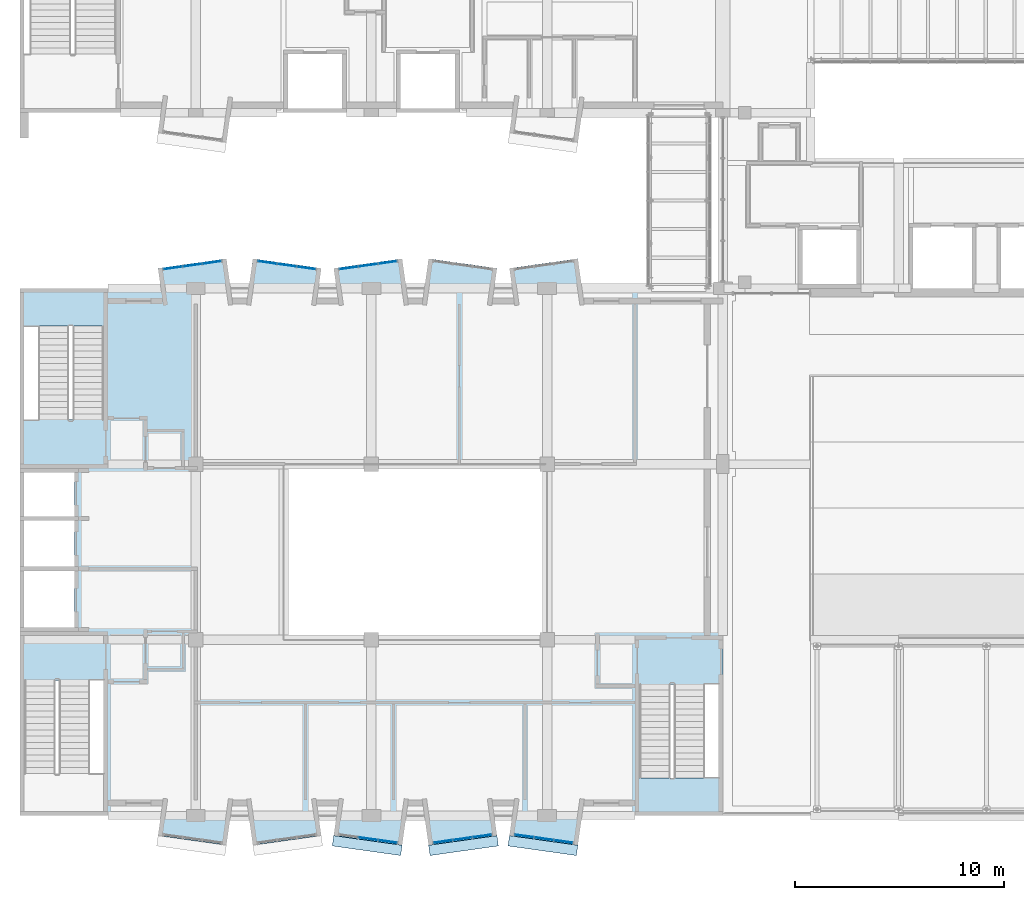
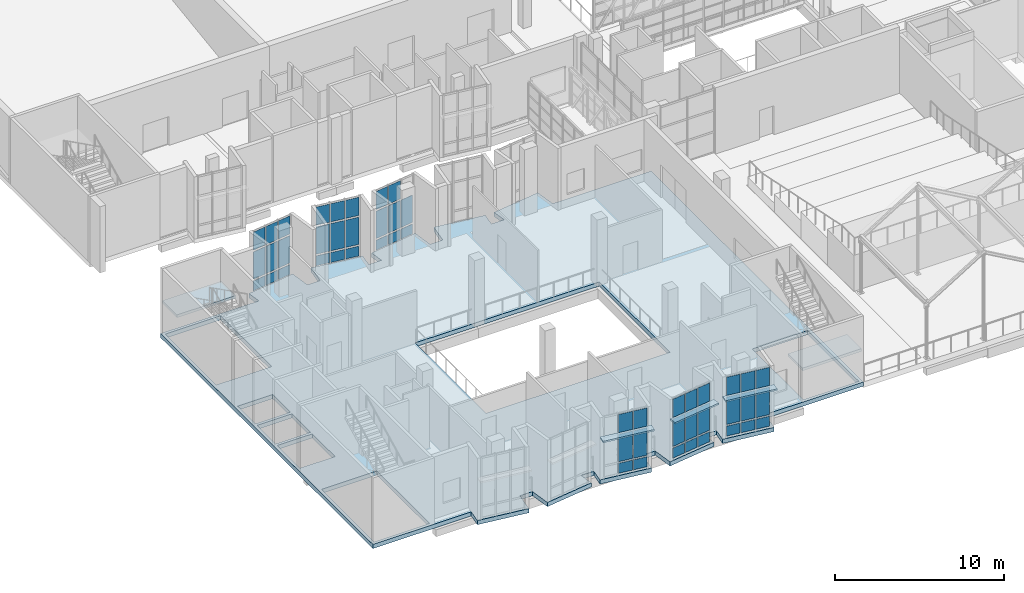
# One storey, part 30 of 67: 53 plates, 3 slabs, 8 elements without a shape of their own.
"""IFC4 building model written with IfcOpenShell, lengths in metres."""

from ifc_helpers import new_model, si_unit, direction, frame, origin, origin_2d, place, context, subcontext, project, spatial, polyline, rectangle, outline, extrude, material, layer, layer_set, type_object, element, aggregate, save


model = new_model("IFC4")

# Units and contexts
model_context = context("Model", 3, precision=1e-05, world=origin(), true_north=direction((0.0, 1.0)))
body_context = subcontext(model_context, "Body", "Model", "MODEL_VIEW")
ifc_project = project(units=[si_unit("LENGTHUNIT", "METRE"), si_unit("AREAUNIT", "SQUARE_METRE"), si_unit("VOLUMEUNIT", "CUBIC_METRE"), si_unit("PLANEANGLEUNIT", "RADIAN"), si_unit("MASSUNIT", "GRAM", prefix="KILO")], contexts=[model_context])

# Site, building, storey
site_placement = place(None, origin())
site = spatial("IfcSite", under=ifc_project, at=site_placement, CompositionType="ELEMENT")
building_placement = place(site_placement, origin())
building = spatial("IfcBuilding", under=site, at=building_placement, Name="Kiln Court Media Centre", CompositionType="ELEMENT")
storey_placement = place(building_placement, frame((0.0, 0.0, 19.800048828125)))
storey = spatial("IfcBuildingStorey", under=building, at=storey_placement, Name="L04", CompositionType="ELEMENT", Elevation=19.800048828125)

# Slab
ifc_material_1 = material(Name="Concrete C30/37", Category="concrete")
ifc_layer_1 = layer(ifc_material_1, 0.300048828125)
ifc_layer_set_1 = layer_set([ifc_layer_1], Name="Concrete C30/37 floor slab 300")
slab_type_1 = type_object("IfcSlabType", Name="Concrete C30/37 floor slab 300", PredefinedType="FLOOR", material=ifc_layer_set_1)
slab_1_placement = place(storey_placement, frame((0.0, 0.0, -0.300048828125)))
element("IfcSlab", 1, at=slab_1_placement, inside=storey, type_object=slab_type_1, Name="L04-SL-1000", PredefinedType="FLOOR", context=body_context, shape_type="SweptSolid", body=[
    extrude(outline(polyline([(9.866943359375, -1.41845703125), (6.598876953125, -0.958984375), (6.7333984375, 0.0), (0.0, 0.0), (0.0, 25.199951171875), (6.7333984375, 25.199951171875), (6.598876953125, 26.1591796875), (9.866943359375, 26.618408203125), (10.066650390625, 25.199951171875), (10.933349609375, 25.199951171875), (11.133056640625, 26.618408203125), (14.401123046875, 26.1591796875), (14.2666015625, 25.199951171875), (15.13330078125, 25.199951171875), (14.998779296875, 26.1591796875), (18.266845703125, 26.618408203125), (18.466796875, 25.199951171875), (19.333251953125, 25.199951171875), (19.533203125, 26.618408203125), (22.801025390625, 26.1591796875), (22.666748046875, 25.199951171875), (23.533203125, 25.199951171875), (23.39892578125, 26.1591796875), (26.6669921875, 26.618408203125), (26.86669921875, 25.199951171875), (33.60009765625, 25.199951171875), (33.60009765625, 0.0), (26.86669921875, 0.0), (26.6669921875, -1.41845703125), (23.39892578125, -0.958984375), (23.533203125, 0.0), (22.666748046875, 0.0), (22.801025390625, -0.959228515625), (19.533203125, -1.41845703125), (19.333251953125, 0.0), (18.466796875, 0.0), (18.266845703125, -1.41845703125), (14.998779296875, -0.958984375), (15.13330078125, 0.0), (14.2666015625, 0.0), (14.401123046875, -0.959228515625), (11.133056640625, -1.41845703125), (10.933349609375, 0.0), (10.066650390625, 0.0), (9.866943359375, -1.41845703125)]), holes=[polyline([(0.199951171875, 0.199951171875), (4.0, 0.199951171875), (4.0, 6.4599609375), (0.199951171875, 6.4599609375), (0.199951171875, 0.199951171875)]), polyline([(29.60009765625, 0.199951171875), (33.39990234375, 0.199951171875), (33.39990234375, 6.260009765625), (29.60009765625, 6.260009765625), (29.60009765625, 0.199951171875)]), polyline([(12.60009765625, 8.39990234375), (25.199951171875, 8.39990234375), (25.199951171875, 16.800048828125), (12.60009765625, 16.800048828125), (12.60009765625, 8.39990234375)]), polyline([(0.199951171875, 9.0), (2.60009765625, 9.0), (2.60009765625, 11.699951171875), (0.199951171875, 11.699951171875), (0.199951171875, 9.0)]), polyline([(0.199951171875, 11.89990234375), (2.60009765625, 11.89990234375), (2.60009765625, 14.10009765625), (0.199951171875, 14.10009765625), (0.199951171875, 11.89990234375)]), polyline([(0.199951171875, 14.300048828125), (2.60009765625, 14.300048828125), (2.60009765625, 16.39990234375), (0.199951171875, 16.39990234375), (0.199951171875, 14.300048828125)]), polyline([(0.199951171875, 18.93994140625), (4.0, 18.93994140625), (4.0, 25.0), (0.199951171875, 25.0), (0.199951171875, 18.93994140625)])]), origin(), (0.0, 0.0, 1.0), 0.300048828125),
])

# Plates
ifc_material_2 = material(Name="Concrete C30/37", Category="concrete")
ifc_layer_2 = layer(ifc_material_2, 0.1201171875)
ifc_layer_set_2 = layer_set([ifc_layer_2], Name="Concrete C30/37 sunshade hood 120")
plate_type_1 = type_object("IfcPlateType", Name="Concrete C30/37 sunshade hood 120", PredefinedType="USERDEFINED", material=ifc_layer_set_2)
plate_1_placement = place(storey_placement, frame((0.0, 0.0, 3.0)))
element("IfcPlate", 2, at=plate_1_placement, inside=storey, type_object=plate_type_1, Name="SUNSHADE V6A-S-L04-27", ObjectType="SUNSHADE", PredefinedType="USERDEFINED", context=body_context, shape_type="SweptSolid", body=[
    extrude(outline(polyline([(14.9990234375, -0.958740234375), (18.266845703125, -1.41796875), (18.197265625, -1.9130859375), (14.929443359375, -1.453857421875), (14.9990234375, -0.958740234375)])), origin(), (0.0, 0.0, 1.0), 0.119873046875),
])
plate_2_placement = place(storey_placement, frame((0.0, 0.0, 3.0)))
element("IfcPlate", 3, at=plate_2_placement, inside=storey, type_object=plate_type_1, Name="SUNSHADE V6A-S-L04-28", ObjectType="SUNSHADE", PredefinedType="USERDEFINED", context=body_context, shape_type="SweptSolid", body=[
    extrude(outline(polyline([(19.533203125, -1.41796875), (22.801025390625, -0.958740234375), (22.87060546875, -1.453857421875), (19.602783203125, -1.9130859375), (19.533203125, -1.41796875)])), origin(), (0.0, 0.0, 1.0), 0.119873046875),
])
plate_3_placement = place(storey_placement, frame((0.0, 0.0, 3.0)))
element("IfcPlate", 4, at=plate_3_placement, inside=storey, type_object=plate_type_1, Name="SUNSHADE V6A-S-L04-29", ObjectType="SUNSHADE", PredefinedType="USERDEFINED", context=body_context, shape_type="SweptSolid", body=[
    extrude(outline(polyline([(23.39892578125, -0.958740234375), (26.6669921875, -1.41796875), (26.597412109375, -1.9130859375), (23.32958984375, -1.453857421875), (23.39892578125, -0.958740234375)])), origin(), (0.0, 0.0, 1.0), 0.119873046875),
])

# Stair, slab
ifc_material_3 = material(Name="Concrete C40/50", Category="concrete")
stair_type = type_object("IfcStairType", Name="Concrete C40/50 dog-leg stair 1500 wide, 150 riser", PredefinedType="HALF_TURN_STAIR", material=ifc_material_3)
stair_1_placement = place(storey_placement, origin())
stair_1 = element("IfcStair", 5, at=stair_1_placement, inside=storey, type_object=stair_type, Name="ST-02 L04", PredefinedType="HALF_TURN_STAIR")
ifc_material_4 = material(Name="Concrete C40/50", Category="concrete")
ifc_layer_3 = layer(ifc_material_4, 0.199951171875)
ifc_layer_set_3 = layer_set([ifc_layer_3], Name="Concrete C40/50 stair landing 200")
slab_type_2 = type_object("IfcSlabType", Name="Concrete C40/50 stair landing 200", PredefinedType="LANDING", material=ifc_layer_set_3)
slab_2_placement = place(storey_placement, frame((0.0, 0.0, 2.199951171875)))
slab_2 = element("IfcSlab", 6, at=slab_2_placement, type_object=slab_type_2, Name="L04-ST-5001 landing 5001", PredefinedType="LANDING", context=body_context, shape_type="SweptSolid", body=[
    extrude(outline(polyline([(4.1201171875, 23.39990234375), (4.1201171875, 25.1201171875), (0.080078125, 25.1201171875), (0.080078125, 23.39990234375), (4.1201171875, 23.39990234375)])), origin(), (0.0, 0.0, 1.0), 0.199951171875),
])
aggregate(stair_1, [slab_2])

stair_2_placement = place(storey_placement, origin())
stair_2 = element("IfcStair", 7, at=stair_2_placement, inside=storey, type_object=stair_type, Name="ST-03 L04", PredefinedType="HALF_TURN_STAIR")
slab_3_placement = place(storey_placement, frame((0.0, 0.0, 2.199951171875)))
slab_3 = element("IfcSlab", 8, at=slab_3_placement, type_object=slab_type_2, Name="L04-ST-5002 landing 5002", PredefinedType="LANDING", context=body_context, shape_type="SweptSolid", body=[
    extrude(outline(polyline([(29.47998046875, 1.800048828125), (29.47998046875, 0.080078125), (33.52001953125, 0.080078125), (33.52001953125, 1.800048828125), (29.47998046875, 1.800048828125)])), origin(), (0.0, 0.0, 1.0), 0.199951171875),
])
aggregate(stair_2, [slab_3])

# Curtain wall, plates
ifc_material_5 = material(Name="Aluminium 6063-T6", Category="aluminium")
ifc_layer_4 = layer(ifc_material_5, 0.1201171875)
ifc_layer_set_4 = layer_set([ifc_layer_4], Name="Aluminium unitised bay curtain wall")
curtain_wall_type = type_object("IfcCurtainWallType", Name="Aluminium unitised bay curtain wall", PredefinedType="USERDEFINED", material=ifc_layer_set_4)
curtain_wall_1_placement = place(storey_placement, origin())
curtain_wall_1 = element("IfcCurtainWall", 9, at=curtain_wall_1_placement, inside=storey, type_object=curtain_wall_type, Name="BAY V6A-N-L04-24 front", ObjectType="UNITISED CURTAIN WALL", PredefinedType="USERDEFINED")
ifc_material_6 = material(Name="Aluminium insulated spandrel", Category="aluminium")
ifc_layer_5 = layer(ifc_material_6, 0.028076171875)
ifc_layer_set_5 = layer_set([ifc_layer_5], Name="Insulated spandrel panel 28")
plate_type_2 = type_object("IfcPlateType", Name="Insulated spandrel panel 28", PredefinedType="CURTAIN_PANEL", material=ifc_layer_set_5)
plate_4_placement = place(storey_placement, frame((7.3115234375, 26.177978515625, 0.1201171875), z_axis=(0.0, 0.0, 1.0), x_axis=(0.990269562409, 0.139162472554, 0.0)))
plate_4 = element("IfcPlate", 10, at=plate_4_placement, type_object=plate_type_2, Name="CW4-03 panel 1.1", PredefinedType="CURTAIN_PANEL", context=body_context, shape_type="SweptSolid", body=[
    extrude(rectangle(XDim=0.86669921875, YDim=0.028076171875, at=origin_2d()), origin(), (0.0, 0.0, 1.0), 0.719970703125),
])
plate_5_placement = place(storey_placement, frame((8.244140625, 26.30908203125, 0.1201171875), z_axis=(0.0, 0.0, 1.0), x_axis=(0.990269562409, 0.139162472554, 0.0)))
plate_5 = element("IfcPlate", 11, at=plate_5_placement, type_object=plate_type_2, Name="CW4-03 panel 2.1", PredefinedType="CURTAIN_PANEL", context=body_context, shape_type="SweptSolid", body=[
    extrude(rectangle(XDim=0.896728515625, YDim=0.028076171875, at=origin_2d()), origin(), (0.0, 0.0, 1.0), 0.719970703125),
])
plate_6_placement = place(storey_placement, frame((9.1767578125, 26.440185546875, 0.1201171875), z_axis=(0.0, 0.0, 1.0), x_axis=(0.990269562409, 0.139162472554, 0.0)))
plate_6 = element("IfcPlate", 12, at=plate_6_placement, type_object=plate_type_2, Name="CW4-03 panel 3.1", PredefinedType="CURTAIN_PANEL", context=body_context, shape_type="SweptSolid", body=[
    extrude(rectangle(XDim=0.86669921875, YDim=0.028076171875, at=origin_2d()), origin(), (0.0, 0.0, 1.0), 0.719970703125),
])

curtain_wall_2_placement = place(storey_placement, origin())
curtain_wall_2 = element("IfcCurtainWall", 13, at=curtain_wall_2_placement, inside=storey, type_object=curtain_wall_type, Name="BAY V6A-N-L04-25 front", ObjectType="UNITISED CURTAIN WALL", PredefinedType="USERDEFINED")
plate_7_placement = place(storey_placement, frame((11.8232421875, 26.440185546875, 0.1201171875), z_axis=(0.0, 0.0, 1.0), x_axis=(0.990269562409, -0.139162472554, 0.0)))
plate_7 = element("IfcPlate", 14, at=plate_7_placement, type_object=plate_type_2, Name="CW4-04 panel 1.1", PredefinedType="CURTAIN_PANEL", context=body_context, shape_type="SweptSolid", body=[
    extrude(rectangle(XDim=0.86669921875, YDim=0.028076171875, at=origin_2d()), origin(), (0.0, 0.0, 1.0), 0.719970703125),
])
plate_8_placement = place(storey_placement, frame((12.755859375, 26.30908203125, 0.1201171875), z_axis=(0.0, 0.0, 1.0), x_axis=(0.990269562409, -0.139162472554, 0.0)))
plate_8 = element("IfcPlate", 15, at=plate_8_placement, type_object=plate_type_2, Name="CW4-04 panel 2.1", PredefinedType="CURTAIN_PANEL", context=body_context, shape_type="SweptSolid", body=[
    extrude(rectangle(XDim=0.896728515625, YDim=0.028076171875, at=origin_2d()), origin(), (0.0, 0.0, 1.0), 0.719970703125),
])
plate_9_placement = place(storey_placement, frame((13.6884765625, 26.177978515625, 0.1201171875), z_axis=(0.0, 0.0, 1.0), x_axis=(0.990269562409, -0.139162472554, 0.0)))
plate_9 = element("IfcPlate", 16, at=plate_9_placement, type_object=plate_type_2, Name="CW4-04 panel 3.1", PredefinedType="CURTAIN_PANEL", context=body_context, shape_type="SweptSolid", body=[
    extrude(rectangle(XDim=0.86669921875, YDim=0.028076171875, at=origin_2d()), origin(), (0.0, 0.0, 1.0), 0.719970703125),
])

curtain_wall_3_placement = place(storey_placement, origin())
curtain_wall_3 = element("IfcCurtainWall", 17, at=curtain_wall_3_placement, inside=storey, type_object=curtain_wall_type, Name="BAY V6A-N-L04-26 front", ObjectType="UNITISED CURTAIN WALL", PredefinedType="USERDEFINED")
plate_10_placement = place(storey_placement, frame((15.711669921875, 26.177978515625, 0.1201171875), z_axis=(0.0, 0.0, 1.0), x_axis=(0.990269562409, 0.139162472554, 0.0)))
plate_10 = element("IfcPlate", 18, at=plate_10_placement, type_object=plate_type_2, Name="CW4-05 panel 1.1", PredefinedType="CURTAIN_PANEL", context=body_context, shape_type="SweptSolid", body=[
    extrude(rectangle(XDim=0.86669921875, YDim=0.028076171875, at=origin_2d()), origin(), (0.0, 0.0, 1.0), 0.719970703125),
])
plate_11_placement = place(storey_placement, frame((16.64404296875, 26.30908203125, 0.1201171875), z_axis=(0.0, 0.0, 1.0), x_axis=(0.990269562409, 0.139162472554, 0.0)))
plate_11 = element("IfcPlate", 19, at=plate_11_placement, type_object=plate_type_2, Name="CW4-05 panel 2.1", PredefinedType="CURTAIN_PANEL", context=body_context, shape_type="SweptSolid", body=[
    extrude(rectangle(XDim=0.896728515625, YDim=0.028076171875, at=origin_2d()), origin(), (0.0, 0.0, 1.0), 0.719970703125),
])
plate_12_placement = place(storey_placement, frame((17.57666015625, 26.440185546875, 0.1201171875), z_axis=(0.0, 0.0, 1.0), x_axis=(0.990269562409, 0.139162472554, 0.0)))
plate_12 = element("IfcPlate", 20, at=plate_12_placement, type_object=plate_type_2, Name="CW4-05 panel 3.1", PredefinedType="CURTAIN_PANEL", context=body_context, shape_type="SweptSolid", body=[
    extrude(rectangle(XDim=0.86669921875, YDim=0.028076171875, at=origin_2d()), origin(), (0.0, 0.0, 1.0), 0.719970703125),
])

curtain_wall_4_placement = place(storey_placement, origin())
curtain_wall_4 = element("IfcCurtainWall", 21, at=curtain_wall_4_placement, inside=storey, type_object=curtain_wall_type, Name="BAY V6A-S-L04-27 front", ObjectType="UNITISED CURTAIN WALL", PredefinedType="USERDEFINED")
plate_13_placement = place(storey_placement, frame((16.64404296875, -1.109130859375, 0.1201171875), z_axis=(0.0, 0.0, 1.0), x_axis=(0.990269562409, -0.139162472554, 0.0)))
plate_13 = element("IfcPlate", 22, at=plate_13_placement, type_object=plate_type_2, Name="CW4-10 panel 2.1", PredefinedType="CURTAIN_PANEL", context=body_context, shape_type="SweptSolid", body=[
    extrude(rectangle(XDim=0.896728515625, YDim=0.028076171875, at=origin_2d()), origin(), (0.0, 0.0, 1.0), 0.719970703125),
])
plate_14_placement = place(storey_placement, frame((17.57666015625, -1.240234375, 0.1201171875), z_axis=(0.0, 0.0, 1.0), x_axis=(0.990269562409, -0.139162472554, 0.0)))
plate_14 = element("IfcPlate", 23, at=plate_14_placement, type_object=plate_type_2, Name="CW4-10 panel 3.1", PredefinedType="CURTAIN_PANEL", context=body_context, shape_type="SweptSolid", body=[
    extrude(rectangle(XDim=0.86669921875, YDim=0.028076171875, at=origin_2d()), origin(), (0.0, 0.0, 1.0), 0.719970703125),
])

curtain_wall_5_placement = place(storey_placement, origin())
curtain_wall_5 = element("IfcCurtainWall", 24, at=curtain_wall_5_placement, inside=storey, type_object=curtain_wall_type, Name="BAY V6A-S-L04-28 front", ObjectType="UNITISED CURTAIN WALL", PredefinedType="USERDEFINED")
plate_15_placement = place(storey_placement, frame((20.223388671875, -1.240234375, 0.1201171875), z_axis=(0.0, 0.0, 1.0), x_axis=(0.990269562409, 0.139162472554, 0.0)))
plate_15 = element("IfcPlate", 25, at=plate_15_placement, type_object=plate_type_2, Name="CW4-11 panel 1.1", PredefinedType="CURTAIN_PANEL", context=body_context, shape_type="SweptSolid", body=[
    extrude(rectangle(XDim=0.86669921875, YDim=0.028076171875, at=origin_2d()), origin(), (0.0, 0.0, 1.0), 0.719970703125),
])
plate_16_placement = place(storey_placement, frame((21.15576171875, -1.109130859375, 0.1201171875), z_axis=(0.0, 0.0, 1.0), x_axis=(0.990269562409, 0.139162472554, 0.0)))
plate_16 = element("IfcPlate", 26, at=plate_16_placement, type_object=plate_type_2, Name="CW4-11 panel 2.1", PredefinedType="CURTAIN_PANEL", context=body_context, shape_type="SweptSolid", body=[
    extrude(rectangle(XDim=0.896728515625, YDim=0.028076171875, at=origin_2d()), origin(), (0.0, 0.0, 1.0), 0.719970703125),
])
plate_17_placement = place(storey_placement, frame((22.08837890625, -0.97802734375, 0.1201171875), z_axis=(0.0, 0.0, 1.0), x_axis=(0.990269562409, 0.139162472554, 0.0)))
plate_17 = element("IfcPlate", 27, at=plate_17_placement, type_object=plate_type_2, Name="CW4-11 panel 3.1", PredefinedType="CURTAIN_PANEL", context=body_context, shape_type="SweptSolid", body=[
    extrude(rectangle(XDim=0.86669921875, YDim=0.028076171875, at=origin_2d()), origin(), (0.0, 0.0, 1.0), 0.719970703125),
])

curtain_wall_6_placement = place(storey_placement, origin())
curtain_wall_6 = element("IfcCurtainWall", 28, at=curtain_wall_6_placement, inside=storey, type_object=curtain_wall_type, Name="BAY V6A-S-L04-29 front", ObjectType="UNITISED CURTAIN WALL", PredefinedType="USERDEFINED")
plate_18_placement = place(storey_placement, frame((24.111572265625, -0.97802734375, 0.1201171875), z_axis=(0.0, 0.0, 1.0), x_axis=(0.990269562409, -0.139162472554, 0.0)))
plate_18 = element("IfcPlate", 29, at=plate_18_placement, type_object=plate_type_2, Name="CW4-12 panel 1.1", PredefinedType="CURTAIN_PANEL", context=body_context, shape_type="SweptSolid", body=[
    extrude(rectangle(XDim=0.86669921875, YDim=0.028076171875, at=origin_2d()), origin(), (0.0, 0.0, 1.0), 0.719970703125),
])
plate_19_placement = place(storey_placement, frame((25.044189453125, -1.109130859375, 0.1201171875), z_axis=(0.0, 0.0, 1.0), x_axis=(0.990269562409, -0.139162472554, 0.0)))
plate_19 = element("IfcPlate", 30, at=plate_19_placement, type_object=plate_type_2, Name="CW4-12 panel 2.1", PredefinedType="CURTAIN_PANEL", context=body_context, shape_type="SweptSolid", body=[
    extrude(rectangle(XDim=0.896728515625, YDim=0.028076171875, at=origin_2d()), origin(), (0.0, 0.0, 1.0), 0.719970703125),
])
plate_20_placement = place(storey_placement, frame((25.9765625, -1.240234375, 0.1201171875), z_axis=(0.0, 0.0, 1.0), x_axis=(0.990269562409, -0.139162472554, 0.0)))
plate_20 = element("IfcPlate", 31, at=plate_20_placement, type_object=plate_type_2, Name="CW4-12 panel 3.1", PredefinedType="CURTAIN_PANEL", context=body_context, shape_type="SweptSolid", body=[
    extrude(rectangle(XDim=0.86669921875, YDim=0.028076171875, at=origin_2d()), origin(), (0.0, 0.0, 1.0), 0.719970703125),
])

# Plate
ifc_material_7 = material(Name="Low-E double glazing", Category="glass")
ifc_layer_6 = layer(ifc_material_7, 0.028076171875)
ifc_layer_set_6 = layer_set([ifc_layer_6], Name="Low-E double glazed panel 28")
plate_type_3 = type_object("IfcPlateType", Name="Low-E double glazed panel 28", PredefinedType="CURTAIN_PANEL", material=ifc_layer_set_6)
plate_21_placement = place(storey_placement, frame((7.3115234375, 26.177978515625, 0.9599609375), z_axis=(0.0, 0.0, 1.0), x_axis=(0.990269562409, 0.139162472554, 0.0)))
plate_21 = element("IfcPlate", 32, at=plate_21_placement, type_object=plate_type_3, Name="CW4-03 panel 1.2", PredefinedType="CURTAIN_PANEL", context=body_context, shape_type="SweptSolid", body=[
    extrude(rectangle(XDim=0.86669921875, YDim=0.028076171875, at=origin_2d()), origin(), (0.0, 0.0, 1.0), 1.97998046875),
])

plate_22_placement = place(storey_placement, frame((7.3115234375, 26.177978515625, 3.06005859375), z_axis=(0.0, 0.0, 1.0), x_axis=(0.990269562409, 0.139162472554, 0.0)))
plate_22 = element("IfcPlate", 33, at=plate_22_placement, type_object=plate_type_3, Name="CW4-03 panel 1.3", PredefinedType="CURTAIN_PANEL", context=body_context, shape_type="SweptSolid", body=[
    extrude(rectangle(XDim=0.86669921875, YDim=0.028076171875, at=origin_2d()), origin(), (0.0, 0.0, 1.0), 1.320068359375),
])

plate_23_placement = place(storey_placement, frame((8.244140625, 26.30908203125, 0.9599609375), z_axis=(0.0, 0.0, 1.0), x_axis=(0.990269562409, 0.139162472554, 0.0)))
plate_23 = element("IfcPlate", 34, at=plate_23_placement, type_object=plate_type_3, Name="CW4-03 panel 2.2", PredefinedType="CURTAIN_PANEL", context=body_context, shape_type="SweptSolid", body=[
    extrude(rectangle(XDim=0.896728515625, YDim=0.028076171875, at=origin_2d()), origin(), (0.0, 0.0, 1.0), 1.97998046875),
])

plate_24_placement = place(storey_placement, frame((8.244140625, 26.30908203125, 3.06005859375), z_axis=(0.0, 0.0, 1.0), x_axis=(0.990269562409, 0.139162472554, 0.0)))
plate_24 = element("IfcPlate", 35, at=plate_24_placement, type_object=plate_type_3, Name="CW4-03 panel 2.3", PredefinedType="CURTAIN_PANEL", context=body_context, shape_type="SweptSolid", body=[
    extrude(rectangle(XDim=0.896728515625, YDim=0.028076171875, at=origin_2d()), origin(), (0.0, 0.0, 1.0), 1.320068359375),
])

plate_25_placement = place(storey_placement, frame((9.1767578125, 26.440185546875, 0.9599609375), z_axis=(0.0, 0.0, 1.0), x_axis=(0.990269562409, 0.139162472554, 0.0)))
plate_25 = element("IfcPlate", 36, at=plate_25_placement, type_object=plate_type_3, Name="CW4-03 panel 3.2", PredefinedType="CURTAIN_PANEL", context=body_context, shape_type="SweptSolid", body=[
    extrude(rectangle(XDim=0.86669921875, YDim=0.028076171875, at=origin_2d()), origin(), (0.0, 0.0, 1.0), 1.97998046875),
])

plate_26_placement = place(storey_placement, frame((9.1767578125, 26.440185546875, 3.06005859375), z_axis=(0.0, 0.0, 1.0), x_axis=(0.990269562409, 0.139162472554, 0.0)))
plate_26 = element("IfcPlate", 37, at=plate_26_placement, type_object=plate_type_3, Name="CW4-03 panel 3.3", PredefinedType="CURTAIN_PANEL", context=body_context, shape_type="SweptSolid", body=[
    extrude(rectangle(XDim=0.86669921875, YDim=0.028076171875, at=origin_2d()), origin(), (0.0, 0.0, 1.0), 1.320068359375),
])

aggregate(curtain_wall_1, [plate_4, plate_21, plate_22, plate_5, plate_23, plate_24, plate_6, plate_25, plate_26])

plate_27_placement = place(storey_placement, frame((11.8232421875, 26.440185546875, 0.9599609375), z_axis=(0.0, 0.0, 1.0), x_axis=(0.990269562409, -0.139162472554, 0.0)))
plate_27 = element("IfcPlate", 38, at=plate_27_placement, type_object=plate_type_3, Name="CW4-04 panel 1.2", PredefinedType="CURTAIN_PANEL", context=body_context, shape_type="SweptSolid", body=[
    extrude(rectangle(XDim=0.86669921875, YDim=0.028076171875, at=origin_2d()), origin(), (0.0, 0.0, 1.0), 1.97998046875),
])

plate_28_placement = place(storey_placement, frame((11.8232421875, 26.440185546875, 3.06005859375), z_axis=(0.0, 0.0, 1.0), x_axis=(0.990269562409, -0.139162472554, 0.0)))
plate_28 = element("IfcPlate", 39, at=plate_28_placement, type_object=plate_type_3, Name="CW4-04 panel 1.3", PredefinedType="CURTAIN_PANEL", context=body_context, shape_type="SweptSolid", body=[
    extrude(rectangle(XDim=0.86669921875, YDim=0.028076171875, at=origin_2d()), origin(), (0.0, 0.0, 1.0), 1.320068359375),
])

plate_29_placement = place(storey_placement, frame((12.755859375, 26.30908203125, 0.9599609375), z_axis=(0.0, 0.0, 1.0), x_axis=(0.990269562409, -0.139162472554, 0.0)))
plate_29 = element("IfcPlate", 40, at=plate_29_placement, type_object=plate_type_3, Name="CW4-04 panel 2.2", PredefinedType="CURTAIN_PANEL", context=body_context, shape_type="SweptSolid", body=[
    extrude(rectangle(XDim=0.896728515625, YDim=0.028076171875, at=origin_2d()), origin(), (0.0, 0.0, 1.0), 1.97998046875),
])

plate_30_placement = place(storey_placement, frame((12.755859375, 26.30908203125, 3.06005859375), z_axis=(0.0, 0.0, 1.0), x_axis=(0.990269562409, -0.139162472554, 0.0)))
plate_30 = element("IfcPlate", 41, at=plate_30_placement, type_object=plate_type_3, Name="CW4-04 panel 2.3", PredefinedType="CURTAIN_PANEL", context=body_context, shape_type="SweptSolid", body=[
    extrude(rectangle(XDim=0.896728515625, YDim=0.028076171875, at=origin_2d()), origin(), (0.0, 0.0, 1.0), 1.320068359375),
])

plate_31_placement = place(storey_placement, frame((13.6884765625, 26.177978515625, 0.9599609375), z_axis=(0.0, 0.0, 1.0), x_axis=(0.990269562409, -0.139162472554, 0.0)))
plate_31 = element("IfcPlate", 42, at=plate_31_placement, type_object=plate_type_3, Name="CW4-04 panel 3.2", PredefinedType="CURTAIN_PANEL", context=body_context, shape_type="SweptSolid", body=[
    extrude(rectangle(XDim=0.86669921875, YDim=0.028076171875, at=origin_2d()), origin(), (0.0, 0.0, 1.0), 1.97998046875),
])

plate_32_placement = place(storey_placement, frame((13.6884765625, 26.177978515625, 3.06005859375), z_axis=(0.0, 0.0, 1.0), x_axis=(0.990269562409, -0.139162472554, 0.0)))
plate_32 = element("IfcPlate", 43, at=plate_32_placement, type_object=plate_type_3, Name="CW4-04 panel 3.3", PredefinedType="CURTAIN_PANEL", context=body_context, shape_type="SweptSolid", body=[
    extrude(rectangle(XDim=0.86669921875, YDim=0.028076171875, at=origin_2d()), origin(), (0.0, 0.0, 1.0), 1.320068359375),
])

aggregate(curtain_wall_2, [plate_7, plate_27, plate_28, plate_8, plate_29, plate_30, plate_9, plate_31, plate_32])

plate_33_placement = place(storey_placement, frame((15.711669921875, 26.177978515625, 0.9599609375), z_axis=(0.0, 0.0, 1.0), x_axis=(0.990269562409, 0.139162472554, 0.0)))
plate_33 = element("IfcPlate", 44, at=plate_33_placement, type_object=plate_type_3, Name="CW4-05 panel 1.2", PredefinedType="CURTAIN_PANEL", context=body_context, shape_type="SweptSolid", body=[
    extrude(rectangle(XDim=0.86669921875, YDim=0.028076171875, at=origin_2d()), origin(), (0.0, 0.0, 1.0), 1.97998046875),
])

plate_34_placement = place(storey_placement, frame((15.711669921875, 26.177978515625, 3.06005859375), z_axis=(0.0, 0.0, 1.0), x_axis=(0.990269562409, 0.139162472554, 0.0)))
plate_34 = element("IfcPlate", 45, at=plate_34_placement, type_object=plate_type_3, Name="CW4-05 panel 1.3", PredefinedType="CURTAIN_PANEL", context=body_context, shape_type="SweptSolid", body=[
    extrude(rectangle(XDim=0.86669921875, YDim=0.028076171875, at=origin_2d()), origin(), (0.0, 0.0, 1.0), 1.320068359375),
])

plate_35_placement = place(storey_placement, frame((16.64404296875, 26.30908203125, 0.9599609375), z_axis=(0.0, 0.0, 1.0), x_axis=(0.990269562409, 0.139162472554, 0.0)))
plate_35 = element("IfcPlate", 46, at=plate_35_placement, type_object=plate_type_3, Name="CW4-05 panel 2.2", PredefinedType="CURTAIN_PANEL", context=body_context, shape_type="SweptSolid", body=[
    extrude(rectangle(XDim=0.896728515625, YDim=0.028076171875, at=origin_2d()), origin(), (0.0, 0.0, 1.0), 1.97998046875),
])

plate_36_placement = place(storey_placement, frame((16.64404296875, 26.30908203125, 3.06005859375), z_axis=(0.0, 0.0, 1.0), x_axis=(0.990269562409, 0.139162472554, 0.0)))
plate_36 = element("IfcPlate", 47, at=plate_36_placement, type_object=plate_type_3, Name="CW4-05 panel 2.3", PredefinedType="CURTAIN_PANEL", context=body_context, shape_type="SweptSolid", body=[
    extrude(rectangle(XDim=0.896728515625, YDim=0.028076171875, at=origin_2d()), origin(), (0.0, 0.0, 1.0), 1.320068359375),
])

plate_37_placement = place(storey_placement, frame((17.57666015625, 26.440185546875, 0.9599609375), z_axis=(0.0, 0.0, 1.0), x_axis=(0.990269562409, 0.139162472554, 0.0)))
plate_37 = element("IfcPlate", 48, at=plate_37_placement, type_object=plate_type_3, Name="CW4-05 panel 3.2", PredefinedType="CURTAIN_PANEL", context=body_context, shape_type="SweptSolid", body=[
    extrude(rectangle(XDim=0.86669921875, YDim=0.028076171875, at=origin_2d()), origin(), (0.0, 0.0, 1.0), 1.97998046875),
])

aggregate(curtain_wall_3, [plate_10, plate_33, plate_34, plate_11, plate_35, plate_36, plate_12, plate_37])

plate_38_placement = place(storey_placement, frame((16.64404296875, -1.109130859375, 0.9599609375), z_axis=(0.0, 0.0, 1.0), x_axis=(0.990269562409, -0.139162472554, 0.0)))
plate_38 = element("IfcPlate", 49, at=plate_38_placement, type_object=plate_type_3, Name="CW4-10 panel 2.2", PredefinedType="CURTAIN_PANEL", context=body_context, shape_type="SweptSolid", body=[
    extrude(rectangle(XDim=0.896728515625, YDim=0.028076171875, at=origin_2d()), origin(), (0.0, 0.0, 1.0), 1.97998046875),
])

plate_39_placement = place(storey_placement, frame((16.64404296875, -1.109130859375, 3.06005859375), z_axis=(0.0, 0.0, 1.0), x_axis=(0.990269562409, -0.139162472554, 0.0)))
plate_39 = element("IfcPlate", 50, at=plate_39_placement, type_object=plate_type_3, Name="CW4-10 panel 2.3", PredefinedType="CURTAIN_PANEL", context=body_context, shape_type="SweptSolid", body=[
    extrude(rectangle(XDim=0.896728515625, YDim=0.028076171875, at=origin_2d()), origin(), (0.0, 0.0, 1.0), 1.320068359375),
])

plate_40_placement = place(storey_placement, frame((17.57666015625, -1.240234375, 0.9599609375), z_axis=(0.0, 0.0, 1.0), x_axis=(0.990269562409, -0.139162472554, 0.0)))
plate_40 = element("IfcPlate", 51, at=plate_40_placement, type_object=plate_type_3, Name="CW4-10 panel 3.2", PredefinedType="CURTAIN_PANEL", context=body_context, shape_type="SweptSolid", body=[
    extrude(rectangle(XDim=0.86669921875, YDim=0.028076171875, at=origin_2d()), origin(), (0.0, 0.0, 1.0), 1.97998046875),
])

plate_41_placement = place(storey_placement, frame((17.57666015625, -1.240234375, 3.06005859375), z_axis=(0.0, 0.0, 1.0), x_axis=(0.990269562409, -0.139162472554, 0.0)))
plate_41 = element("IfcPlate", 52, at=plate_41_placement, type_object=plate_type_3, Name="CW4-10 panel 3.3", PredefinedType="CURTAIN_PANEL", context=body_context, shape_type="SweptSolid", body=[
    extrude(rectangle(XDim=0.86669921875, YDim=0.028076171875, at=origin_2d()), origin(), (0.0, 0.0, 1.0), 1.320068359375),
])

aggregate(curtain_wall_4, [plate_13, plate_38, plate_39, plate_14, plate_40, plate_41])

plate_42_placement = place(storey_placement, frame((20.223388671875, -1.240234375, 0.9599609375), z_axis=(0.0, 0.0, 1.0), x_axis=(0.990269562409, 0.139162472554, 0.0)))
plate_42 = element("IfcPlate", 53, at=plate_42_placement, type_object=plate_type_3, Name="CW4-11 panel 1.2", PredefinedType="CURTAIN_PANEL", context=body_context, shape_type="SweptSolid", body=[
    extrude(rectangle(XDim=0.86669921875, YDim=0.028076171875, at=origin_2d()), origin(), (0.0, 0.0, 1.0), 1.97998046875),
])

plate_43_placement = place(storey_placement, frame((20.223388671875, -1.240234375, 3.06005859375), z_axis=(0.0, 0.0, 1.0), x_axis=(0.990269562409, 0.139162472554, 0.0)))
plate_43 = element("IfcPlate", 54, at=plate_43_placement, type_object=plate_type_3, Name="CW4-11 panel 1.3", PredefinedType="CURTAIN_PANEL", context=body_context, shape_type="SweptSolid", body=[
    extrude(rectangle(XDim=0.86669921875, YDim=0.028076171875, at=origin_2d()), origin(), (0.0, 0.0, 1.0), 1.320068359375),
])

plate_44_placement = place(storey_placement, frame((21.15576171875, -1.109130859375, 0.9599609375), z_axis=(0.0, 0.0, 1.0), x_axis=(0.990269562409, 0.139162472554, 0.0)))
plate_44 = element("IfcPlate", 55, at=plate_44_placement, type_object=plate_type_3, Name="CW4-11 panel 2.2", PredefinedType="CURTAIN_PANEL", context=body_context, shape_type="SweptSolid", body=[
    extrude(rectangle(XDim=0.896728515625, YDim=0.028076171875, at=origin_2d()), origin(), (0.0, 0.0, 1.0), 1.97998046875),
])

plate_45_placement = place(storey_placement, frame((21.15576171875, -1.109130859375, 3.06005859375), z_axis=(0.0, 0.0, 1.0), x_axis=(0.990269562409, 0.139162472554, 0.0)))
plate_45 = element("IfcPlate", 56, at=plate_45_placement, type_object=plate_type_3, Name="CW4-11 panel 2.3", PredefinedType="CURTAIN_PANEL", context=body_context, shape_type="SweptSolid", body=[
    extrude(rectangle(XDim=0.896728515625, YDim=0.028076171875, at=origin_2d()), origin(), (0.0, 0.0, 1.0), 1.320068359375),
])

plate_46_placement = place(storey_placement, frame((22.08837890625, -0.97802734375, 0.9599609375), z_axis=(0.0, 0.0, 1.0), x_axis=(0.990269562409, 0.139162472554, 0.0)))
plate_46 = element("IfcPlate", 57, at=plate_46_placement, type_object=plate_type_3, Name="CW4-11 panel 3.2", PredefinedType="CURTAIN_PANEL", context=body_context, shape_type="SweptSolid", body=[
    extrude(rectangle(XDim=0.86669921875, YDim=0.028076171875, at=origin_2d()), origin(), (0.0, 0.0, 1.0), 1.97998046875),
])

plate_47_placement = place(storey_placement, frame((22.08837890625, -0.97802734375, 3.06005859375), z_axis=(0.0, 0.0, 1.0), x_axis=(0.990269562409, 0.139162472554, 0.0)))
plate_47 = element("IfcPlate", 58, at=plate_47_placement, type_object=plate_type_3, Name="CW4-11 panel 3.3", PredefinedType="CURTAIN_PANEL", context=body_context, shape_type="SweptSolid", body=[
    extrude(rectangle(XDim=0.86669921875, YDim=0.028076171875, at=origin_2d()), origin(), (0.0, 0.0, 1.0), 1.320068359375),
])

aggregate(curtain_wall_5, [plate_15, plate_42, plate_43, plate_16, plate_44, plate_45, plate_17, plate_46, plate_47])

plate_48_placement = place(storey_placement, frame((24.111572265625, -0.97802734375, 0.9599609375), z_axis=(0.0, 0.0, 1.0), x_axis=(0.990269562409, -0.139162472554, 0.0)))
plate_48 = element("IfcPlate", 59, at=plate_48_placement, type_object=plate_type_3, Name="CW4-12 panel 1.2", PredefinedType="CURTAIN_PANEL", context=body_context, shape_type="SweptSolid", body=[
    extrude(rectangle(XDim=0.86669921875, YDim=0.028076171875, at=origin_2d()), origin(), (0.0, 0.0, 1.0), 1.97998046875),
])

plate_49_placement = place(storey_placement, frame((24.111572265625, -0.97802734375, 3.06005859375), z_axis=(0.0, 0.0, 1.0), x_axis=(0.990269562409, -0.139162472554, 0.0)))
plate_49 = element("IfcPlate", 60, at=plate_49_placement, type_object=plate_type_3, Name="CW4-12 panel 1.3", PredefinedType="CURTAIN_PANEL", context=body_context, shape_type="SweptSolid", body=[
    extrude(rectangle(XDim=0.86669921875, YDim=0.028076171875, at=origin_2d()), origin(), (0.0, 0.0, 1.0), 1.320068359375),
])

plate_50_placement = place(storey_placement, frame((25.044189453125, -1.109130859375, 0.9599609375), z_axis=(0.0, 0.0, 1.0), x_axis=(0.990269562409, -0.139162472554, 0.0)))
plate_50 = element("IfcPlate", 61, at=plate_50_placement, type_object=plate_type_3, Name="CW4-12 panel 2.2", PredefinedType="CURTAIN_PANEL", context=body_context, shape_type="SweptSolid", body=[
    extrude(rectangle(XDim=0.896728515625, YDim=0.028076171875, at=origin_2d()), origin(), (0.0, 0.0, 1.0), 1.97998046875),
])

plate_51_placement = place(storey_placement, frame((25.044189453125, -1.109130859375, 3.06005859375), z_axis=(0.0, 0.0, 1.0), x_axis=(0.990269562409, -0.139162472554, 0.0)))
plate_51 = element("IfcPlate", 62, at=plate_51_placement, type_object=plate_type_3, Name="CW4-12 panel 2.3", PredefinedType="CURTAIN_PANEL", context=body_context, shape_type="SweptSolid", body=[
    extrude(rectangle(XDim=0.896728515625, YDim=0.028076171875, at=origin_2d()), origin(), (0.0, 0.0, 1.0), 1.320068359375),
])

plate_52_placement = place(storey_placement, frame((25.9765625, -1.240234375, 0.9599609375), z_axis=(0.0, 0.0, 1.0), x_axis=(0.990269562409, -0.139162472554, 0.0)))
plate_52 = element("IfcPlate", 63, at=plate_52_placement, type_object=plate_type_3, Name="CW4-12 panel 3.2", PredefinedType="CURTAIN_PANEL", context=body_context, shape_type="SweptSolid", body=[
    extrude(rectangle(XDim=0.86669921875, YDim=0.028076171875, at=origin_2d()), origin(), (0.0, 0.0, 1.0), 1.97998046875),
])

plate_53_placement = place(storey_placement, frame((25.9765625, -1.240234375, 3.06005859375), z_axis=(0.0, 0.0, 1.0), x_axis=(0.990269562409, -0.139162472554, 0.0)))
plate_53 = element("IfcPlate", 64, at=plate_53_placement, type_object=plate_type_3, Name="CW4-12 panel 3.3", PredefinedType="CURTAIN_PANEL", context=body_context, shape_type="SweptSolid", body=[
    extrude(rectangle(XDim=0.86669921875, YDim=0.028076171875, at=origin_2d()), origin(), (0.0, 0.0, 1.0), 1.320068359375),
])

aggregate(curtain_wall_6, [plate_18, plate_48, plate_49, plate_19, plate_50, plate_51, plate_20, plate_52, plate_53])

save(model, "model.ifc")
